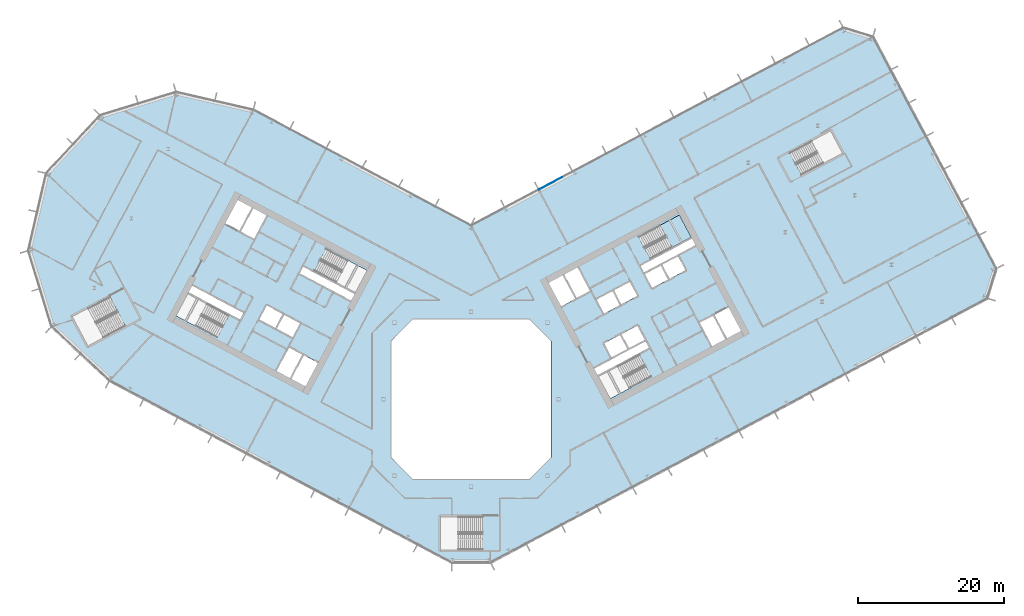
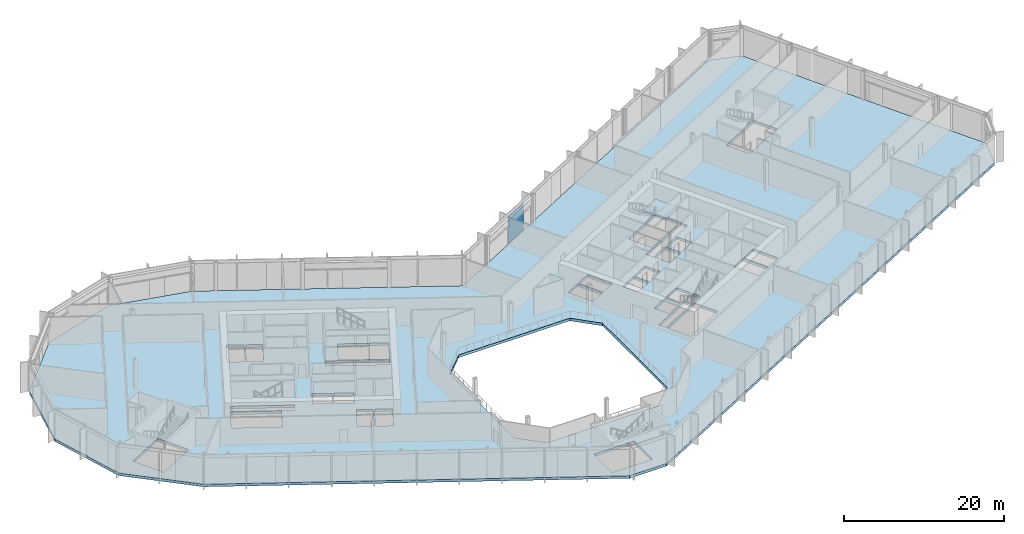
# One storey, part 12 of 31: 2 slabs, 1 plate, 2 elements without a shape of their own.
"""IFC4 building model written with IfcOpenShell, lengths in metres."""

from ifc_helpers import new_model, si_unit, direction, frame, origin, origin_2d, place, context, subcontext, project, spatial, polyline, rectangle, outline, extrude, material, layer, layer_set, type_object, element, aggregate, save


model = new_model("IFC4")

# Units and contexts
model_context = context("Model", 3, precision=1e-05, world=origin(), true_north=direction((0.0, 1.0)))
body_context = subcontext(model_context, "Body", "Model", "MODEL_VIEW")
ifc_project = project(units=[si_unit("LENGTHUNIT", "METRE"), si_unit("AREAUNIT", "SQUARE_METRE"), si_unit("VOLUMEUNIT", "CUBIC_METRE"), si_unit("PLANEANGLEUNIT", "RADIAN"), si_unit("MASSUNIT", "GRAM", prefix="KILO")], contexts=[model_context])

# Site, building, storey
site_placement = place(None, origin())
site = spatial("IfcSite", under=ifc_project, at=site_placement, CompositionType="ELEMENT")
building_placement = place(site_placement, origin())
building = spatial("IfcBuilding", under=site, at=building_placement, Name="Cormorant Relay Tower", CompositionType="ELEMENT")
storey_placement = place(building_placement, frame((0.0, 0.0, 93.800048828125)))
storey = spatial("IfcBuildingStorey", under=building, at=storey_placement, Name="L18", CompositionType="ELEMENT", Elevation=93.800048828125)

# Curtain wall, plate
ifc_material_1 = material(Name="Aluminium 6063-T6 anodised bronze", Category="aluminium")
ifc_layer_1 = layer(ifc_material_1, 0.199951171875)
ifc_layer_set_1 = layer_set([ifc_layer_1], Name="CW1 unitised bronze curtain wall with vertical fins")
curtain_wall_type = type_object("IfcCurtainWallType", Name="CW1 unitised bronze curtain wall with vertical fins", PredefinedType="NOTDEFINED", material=ifc_layer_set_1)
curtain_wall_placement = place(storey_placement, origin())
curtain_wall = element("IfcCurtainWall", 1, at=curtain_wall_placement, inside=storey, type_object=curtain_wall_type, Name="CW1 curtain wall 6", PredefinedType="NOTDEFINED")
ifc_material_2 = material(Name="Tinted laminated glass", Category="glass")
ifc_layer_2 = layer(ifc_material_2, 0.0400390625)
ifc_layer_set_2 = layer_set([ifc_layer_2], Name="CW1 tinted vision panel 3600 module")
plate_type = type_object("IfcPlateType", Name="CW1 tinted vision panel 3600 module", PredefinedType="CURTAIN_PANEL", material=ifc_layer_set_2)
plate_placement = place(storey_placement, frame((10.9306640625, 29.618408203125, 0.0), z_axis=(0.0, 0.0, 1.0), x_axis=(-0.882947592859, -0.469471562786, 0.0)))
plate = element("IfcPlate", 2, at=plate_placement, type_object=plate_type, Name="CW1 panel V08", PredefinedType="CURTAIN_PANEL", context=body_context, shape_type="SweptSolid", body=[
    extrude(rectangle(XDim=3.60009765625, YDim=0.0400390625, at=origin_2d()), origin(), (0.0, 0.0, 1.0), 4.14990234375),
])
aggregate(curtain_wall, [plate])

# Stair, slab
ifc_material_3 = material(Name="Concrete 40 MPa", Category="concrete")
stair_type = type_object("IfcStairType", Name="Exit stair 1500", PredefinedType="HALF_TURN_STAIR", material=ifc_material_3)
stair_placement = place(storey_placement, origin())
stair = element("IfcStair", 3, at=stair_placement, inside=storey, type_object=stair_type, Name="L18 Stair", PredefinedType="HALF_TURN_STAIR")
ifc_material_4 = material(Name="Concrete 40 MPa", Category="concrete")
ifc_layer_3 = layer(ifc_material_4, 0.199951171875)
ifc_layer_set_3 = layer_set([ifc_layer_3], Name="Exit stair landing 200")
slab_type_1 = type_object("IfcSlabType", Name="Exit stair landing 200", PredefinedType="LANDING", material=ifc_layer_set_3)
slab_1_placement = place(storey_placement, frame((0.0, 0.0, 2.099853515625)))
slab_1 = element("IfcSlab", 4, at=slab_1_placement, type_object=slab_type_1, Name="B2 landing 1", PredefinedType="LANDING", context=body_context, shape_type="SweptSolid", body=[
    extrude(outline(polyline([(27.558837890625, 20.82568359375), (30.19873046875, 22.2294921875), (28.5791015625, 25.275634765625), (25.93896484375, 23.871826171875), (27.558837890625, 20.82568359375)])), origin(), (0.0, 0.0, 1.0), 0.2001953125),
])
aggregate(stair, [slab_1])

# Slab
ifc_material_5 = material(Name="Concrete 40 MPa", Category="concrete")
ifc_layer_4 = layer(ifc_material_5, 0.39990234375)
ifc_layer_set_4 = layer_set([ifc_layer_4], Name="Flat plate 400")
slab_type_2 = type_object("IfcSlabType", Name="Flat plate 400", PredefinedType="FLOOR", material=ifc_layer_set_4)
slab_2_placement = place(storey_placement, frame((0.0, 0.0, -0.400146484375)))
element("IfcSlab", 5, at=slab_2_placement, inside=storey, type_object=slab_type_2, Name="Floor slab L18", PredefinedType="FLOOR", context=body_context, shape_type="SweptSolid", body=[
    extrude(outline(polyline([(-60.7197265625, 20.393310546875), (-58.2744140625, 30.985107421875), (-50.86083984375, 38.935302734375), (-40.465576171875, 42.11328125), (-29.873779296875, 39.668212890625), (0.0, 23.783935546875), (51.064453125, 50.935302734375), (55.12158203125, 49.695068359375), (72.022705078125, 17.908935546875), (70.7822265625, 13.8515625), (2.648681640625, -22.37548828125), (-2.648681640625, -22.37548828125), (-49.591552734375, 2.584228515625), (-57.541748046875, 9.997802734375), (-60.7197265625, 20.393310546875)]), holes=[polyline([(11.0, -8.0), (11.0, 8.0), (8.0, 11.0), (-8.0, 11.0), (-11.0, 8.0), (-11.0, -8.0), (-8.0, -11.0), (8.0, -11.0), (11.0, -8.0)]), polyline([(-4.199951171875, -16.125), (-4.199951171875, -20.675048828125), (1.60009765625, -20.675048828125), (1.60009765625, -16.125), (-4.199951171875, -16.125)]), polyline([(-22.95458984375, 6.03271484375), (-24.668212890625, 2.81005859375), (-22.725830078125, 1.777099609375), (-21.01220703125, 5.0), (-23.04296875, 6.07958984375), (-22.95458984375, 6.03271484375)]), polyline([(-24.985595703125, 7.112548828125), (-26.69921875, 3.889892578125), (-24.844970703125, 2.90380859375), (-23.13134765625, 6.126708984375), (-23.04296875, 6.07958984375), (-24.985595703125, 7.112548828125)]), polyline([(-26.688720703125, 9.660400390625), (-24.481201171875, 8.48681640625), (-23.448486328125, 10.42919921875), (-25.656005859375, 11.602783203125), (-26.688720703125, 9.660400390625)]), polyline([(-49.57861328125, 14.0537109375), (-54.69970703125, 11.330810546875), (-52.563720703125, 7.3134765625), (-47.442626953125, 10.036376953125), (-49.57861328125, 14.0537109375)]), polyline([(-28.039794921875, 12.870361328125), (-29.07275390625, 10.927978515625), (-26.865234375, 9.75439453125), (-25.83251953125, 11.69677734375), (-28.039794921875, 12.870361328125)]), polyline([(-38.847900390625, 14.483154296875), (-40.46728515625, 11.43701171875), (-34.860595703125, 8.455810546875), (-33.240966796875, 11.502197265625), (-38.847900390625, 14.483154296875)]), polyline([(-38.260986328125, 15.5869140625), (-38.75390625, 14.659912109375), (-31.690185546875, 10.904052734375), (-31.197265625, 11.8310546875), (-38.260986328125, 15.5869140625)]), polyline([(14.3056640625, 13.779052734375), (12.592041015625, 17.001708984375), (10.649658203125, 15.968994140625), (12.36328125, 12.74609375), (14.39404296875, 13.825927734375), (14.3056640625, 13.779052734375)]), polyline([(16.33642578125, 14.85888671875), (14.622802734375, 18.08154296875), (12.768798828125, 17.095703125), (14.482421875, 13.872802734375), (14.39404296875, 13.825927734375), (16.33642578125, 14.85888671875)]), polyline([(-16.481689453125, 13.520263671875), (-15.989013671875, 14.447509765625), (-23.052490234375, 18.203125), (-23.54541015625, 17.276123046875), (-16.481689453125, 13.520263671875)]), polyline([(-21.501708984375, 17.605224609375), (-15.89501953125, 14.6240234375), (-14.275390625, 17.670166015625), (-19.882080078125, 20.6513671875), (-21.501708984375, 17.605224609375)]), polyline([(-31.611572265625, 22.980712890625), (-29.75732421875, 21.99462890625), (-28.043701171875, 25.217529296875), (-29.89794921875, 26.203369140625), (-31.611572265625, 22.980712890625)]), polyline([(-33.73046875, 24.107421875), (-31.7880859375, 23.074462890625), (-30.074462890625, 26.29736328125), (-32.01708984375, 27.330078125), (-33.73046875, 24.107421875)]), polyline([(23.087158203125, 6.10302734375), (17.48046875, 3.1220703125), (19.10009765625, 0.07568359375), (24.706787109375, 3.056884765625), (23.087158203125, 6.10302734375)]), polyline([(16.8935546875, 4.2255859375), (17.386474609375, 3.298583984375), (24.4501953125, 7.054443359375), (23.957275390625, 7.9814453125), (16.8935546875, 4.2255859375)]), polyline([(20.446533203125, 8.8330078125), (18.239013671875, 7.6591796875), (19.27197265625, 5.716796875), (21.479248046875, 6.890380859375), (20.446533203125, 8.8330078125)]), polyline([(22.830322265625, 10.1005859375), (20.623046875, 8.927001953125), (21.656005859375, 6.984375), (23.86328125, 8.158203125), (22.830322265625, 10.1005859375)]), polyline([(33.197021484375, 11.478515625), (31.3427734375, 10.49267578125), (33.056396484375, 7.27001953125), (34.910400390625, 8.255859375), (33.197021484375, 11.478515625)]), polyline([(33.37353515625, 11.572509765625), (35.087158203125, 8.349609375), (37.029541015625, 9.382568359375), (35.31591796875, 12.605224609375), (33.37353515625, 11.572509765625)]), polyline([(19.401123046875, 14.84619140625), (17.19384765625, 13.67236328125), (18.2265625, 11.72998046875), (20.43408203125, 12.903564453125), (19.401123046875, 14.84619140625)]), polyline([(22.81787109375, 14.171142578125), (21.78515625, 16.113525390625), (19.57763671875, 14.93994140625), (20.610595703125, 12.99755859375), (22.81787109375, 14.171142578125)]), polyline([(26.023193359375, 18.3671875), (23.81591796875, 17.193359375), (24.8486328125, 15.2509765625), (27.05615234375, 16.424560546875), (26.023193359375, 18.3671875)]), polyline([(29.440185546875, 17.692138671875), (28.4072265625, 19.634765625), (26.19970703125, 18.4609375), (27.232666015625, 16.5185546875), (29.440185546875, 17.692138671875)]), polyline([(30.78564453125, 21.125732421875), (30.29248046875, 22.052978515625), (23.22900390625, 18.297119140625), (23.721923828125, 17.3701171875), (30.78564453125, 21.125732421875)]), polyline([(24.592041015625, 19.248291015625), (30.19873046875, 22.2294921875), (28.5791015625, 25.275634765625), (22.972412109375, 22.29443359375), (24.592041015625, 19.248291015625)]), polyline([(45.3349609375, 30.773681640625), (50.941650390625, 33.7548828125), (49.322021484375, 36.801025390625), (43.715087890625, 33.81982421875), (45.3349609375, 30.773681640625)])]), origin(), (0.0, 0.0, 1.0), 0.400146484375),
])

save(model, "model.ifc")
